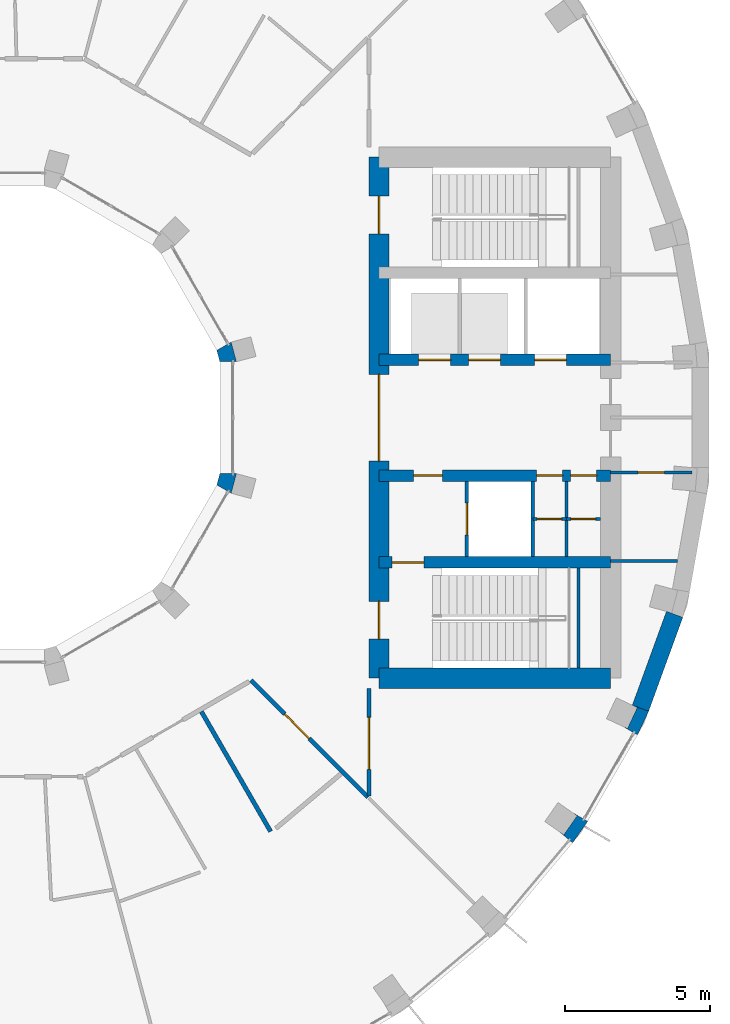
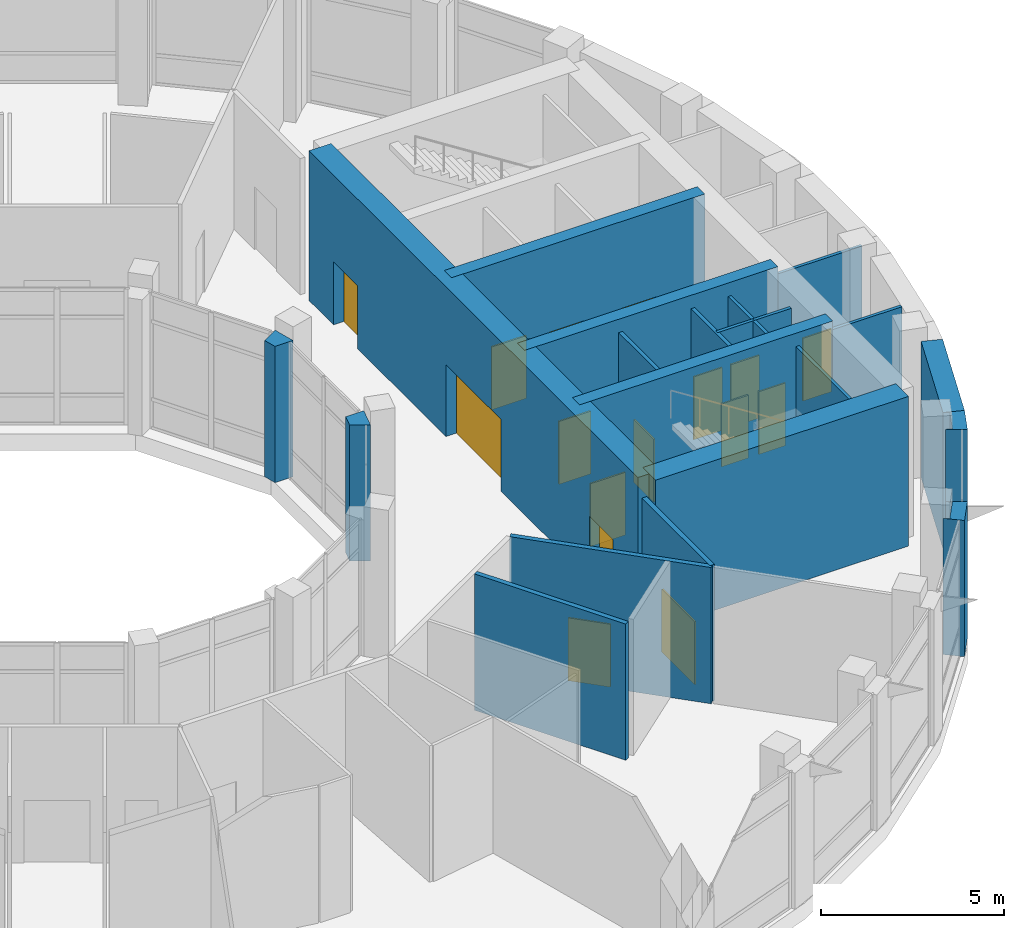
# One storey, part 13 of 18: 21 walls, 16 doors, 16 openings.
"""IFC4 building model written with IfcOpenShell, lengths in metres."""

from ifc_helpers import new_model, si_unit, direction, frame, frame_2d, origin, place, context, subcontext, project, spatial, polyline, rectangle, outline, extrude, material, layer, layer_set, type_object, element, fill, save


model = new_model("IFC4")

# Units and contexts
model_context = context("Model", 3, precision=1e-05, world=origin(), true_north=direction((0.0, 1.0)))
body_context = subcontext(model_context, "Body", "Model", "MODEL_VIEW")
ifc_project = project(units=[si_unit("LENGTHUNIT", "METRE"), si_unit("AREAUNIT", "SQUARE_METRE"), si_unit("VOLUMEUNIT", "CUBIC_METRE"), si_unit("PLANEANGLEUNIT", "RADIAN"), si_unit("MASSUNIT", "GRAM", prefix="KILO")], contexts=[model_context])

# Site, building, storey
site_placement = place(None, origin())
site = spatial("IfcSite", under=ifc_project, at=site_placement, CompositionType="ELEMENT")
building_placement = place(site_placement, origin())
building = spatial("IfcBuilding", under=site, at=building_placement, Name="Saqina Gate Tower", CompositionType="ELEMENT")
storey_placement = place(building_placement, frame((0.0, 0.0, 155.800048828125)))
storey = spatial("IfcBuildingStorey", under=building, at=storey_placement, Name="L44", CompositionType="ELEMENT", Elevation=155.800048828125)

# Walls
ifc_material_1 = material(Name="Brick masonry (buff)", Category="masonry")
wall_type_1 = type_object("IfcWallType", Name="BRICK PIER COPING BUFF", PredefinedType="SOLIDWALL", material=ifc_material_1)
wall_1_placement = place(storey_placement, origin())
element("IfcWall", 1, at=wall_1_placement, inside=storey, type_object=wall_type_1, Name="Pier cap L44 column 33", PredefinedType="SOLIDWALL", context=body_context, shape_type="SweptSolid", body=[
    extrude(outline(polyline([(20.18701171875, -14.687255859375), (20.705810546875, -13.9462890625), (20.186279296875, -13.646240234375), (20.339599609375, -13.753662109375), (19.880859375, -14.408935546875), (19.727294921875, -14.301513671875), (20.18701171875, -14.687255859375)])), origin(), (0.0, 0.0, 1.0), 4.550048828125),
])
wall_2_placement = place(storey_placement, origin())
element("IfcWall", 2, at=wall_2_placement, inside=storey, type_object=wall_type_1, Name="Pier cap L44 column 34", PredefinedType="SOLIDWALL", context=body_context, shape_type="SweptSolid", body=[
    extrude(outline(polyline([(22.81298828125, -10.138916015625), (22.249267578125, -9.93359375), (22.4189453125, -10.0126953125), (22.080810546875, -10.73779296875), (21.9111328125, -10.65869140625), (22.4306640625, -10.958740234375), (22.81298828125, -10.138916015625)])), origin(), (0.0, 0.0, 1.0), 4.550048828125),
])
ifc_material_2 = material(Name="Gypsum board on steel studs", Category="steel")
ifc_layer_1 = layer(ifc_material_2, 0.10009765625)
ifc_layer_set_1 = layer_set([ifc_layer_1], Name="CORE PARTITION")
wall_type_2 = type_object("IfcWallType", Name="CORE PARTITION", PredefinedType="PARTITIONING", material=ifc_layer_set_1)
wall_3_placement = place(storey_placement, frame((21.5, -4.949951171875, 0.0), z_axis=(0.0, 0.0, 1.0), x_axis=(1.0, 0.0, 0.0)))
element("IfcWall", 3, at=wall_3_placement, inside=storey, type_object=wall_type_2, Name="L44-CP-E03", PredefinedType="PARTITIONING", context=body_context, shape_type="SweptSolid", body=[
    extrude(rectangle(XDim=2.306884765625, YDim=0.10009765625, at=frame_2d((1.1533203125, 0.0))), origin(), (0.0, 0.0, 1.0), 4.550048828125),
])

# Wall, opening, door
wall_4_placement = place(storey_placement, frame((21.5, -1.89990234375, 0.0), z_axis=(0.0, 0.0, 1.0), x_axis=(1.0, 0.0, 0.0)))
wall_4 = element("IfcWall", 4, at=wall_4_placement, inside=storey, type_object=wall_type_2, Name="L44-CP-E04", PredefinedType="PARTITIONING", context=body_context, shape_type="SweptSolid", body=[
    extrude(rectangle(XDim=2.804931640625, YDim=0.10009765625, at=frame_2d((1.40234375, 0.0))), origin(), (0.0, 0.0, 1.0), 4.550048828125),
])
opening_1_placement = place(wall_4_placement, frame((0.952392578125, 0.0, 0.0)))
opening_1 = element("IfcOpeningElement", 5, at=opening_1_placement, cuts=wall_4, Name="Opening L44-D95", PredefinedType="OPENING", context=body_context, shape_type="SweptSolid", body=[
    extrude(rectangle(XDim=0.89990234375, YDim=2.10009765625, at=frame_2d((0.449951171875, 1.050048828125))), frame((0.0, 0.06201171875, 0.0), z_axis=(0.0, -1.0, 0.0), x_axis=(1.0, 0.0, 0.0)), (0.0, 0.0, 1.0), 0.1240234375),
])
ifc_material_3 = material(Name="Steel-framed fire door leaf, EI 60", Category="steel")
door_type_1 = type_object("IfcDoorType", Name="SERVICE ROOM DOOR 900", OperationType="SINGLE_SWING_LEFT", PredefinedType="DOOR", material=ifc_material_3)
door_1_placement = place(opening_1_placement, frame((0.89990234375, 0.0, 0.0), z_axis=(0.0, 0.0, 1.0), x_axis=(-1.0, 0.0, 0.0)))
door_1 = element("IfcDoor", 6, at=door_1_placement, inside=storey, type_object=door_type_1, Name="L44-CD-E06", OperationType="SINGLE_SWING_RIGHT", OverallHeight=2.10009765625, OverallWidth=0.89990234375, PredefinedType="DOOR", context=body_context, shape_type="SweptSolid", body=[
    extrude(rectangle(XDim=0.89990234375, YDim=2.10009765625, at=frame_2d((0.449951171875, 1.050048828125))), frame((0.0, 0.02490234375, 0.0), z_axis=(0.0, -1.0, 0.0), x_axis=(1.0, 0.0, 0.0)), (0.0, 0.0, 1.0), 0.050048828125),
])
fill(opening_1, door_1)

# Wall
wall_5_placement = place(storey_placement, frame((19.97998046875, -4.800048828125, 0.0), z_axis=(0.0, 0.0, 1.0), x_axis=(0.0, 1.0, 0.0)))
element("IfcWall", 7, at=wall_5_placement, inside=storey, type_object=wall_type_2, Name="L44-CP-E10", PredefinedType="PARTITIONING", context=body_context, shape_type="SweptSolid", body=[
    extrude(rectangle(XDim=2.60009765625, YDim=0.10009765625, at=frame_2d((1.300048828125, 0.0))), origin(), (0.0, 0.0, 1.0), 4.550048828125),
])

# Wall, opening, door
wall_6_placement = place(storey_placement, frame((18.81005859375, -3.5, 0.0), z_axis=(0.0, 0.0, 1.0), x_axis=(1.0, 0.0, 0.0)))
wall_6 = element("IfcWall", 8, at=wall_6_placement, inside=storey, type_object=wall_type_2, Name="L44-CP-E11", PredefinedType="PARTITIONING", context=body_context, shape_type="SweptSolid", body=[
    extrude(rectangle(XDim=1.169921875, YDim=0.10009765625, at=frame_2d((0.5849609375, 0.0))), origin(), (0.0, 0.0, 1.0), 4.550048828125),
])
opening_2_placement = place(wall_6_placement, frame((0.14990234375, 0.0, 0.0)))
opening_2 = element("IfcOpeningElement", 9, at=opening_2_placement, cuts=wall_6, Name="Opening L44-D97", PredefinedType="OPENING", context=body_context, shape_type="SweptSolid", body=[
    extrude(rectangle(XDim=0.85009765625, YDim=2.10009765625, at=frame_2d((0.425048828125, 1.050048828125))), frame((0.0, 0.06201171875, 0.0), z_axis=(0.0, -1.0, 0.0), x_axis=(1.0, 0.0, 0.0)), (0.0, 0.0, 1.0), 0.1240234375),
])
ifc_material_4 = material(Name="Steel-framed fire door leaf, EI 60", Category="steel")
door_type_2 = type_object("IfcDoorType", Name="SERVICE ROOM DOOR 850", OperationType="SINGLE_SWING_LEFT", PredefinedType="DOOR", material=ifc_material_4)
door_2_placement = place(opening_2_placement, frame((0.85009765625, 0.0, 0.0), z_axis=(0.0, 0.0, 1.0), x_axis=(-1.0, 0.0, 0.0)))
door_2 = element("IfcDoor", 10, at=door_2_placement, inside=storey, type_object=door_type_2, Name="L44-CD-E08", OperationType="SINGLE_SWING_RIGHT", OverallHeight=2.10009765625, OverallWidth=0.85009765625, PredefinedType="DOOR", context=body_context, shape_type="SweptSolid", body=[
    extrude(rectangle(XDim=0.85009765625, YDim=2.10009765625, at=frame_2d((0.425048828125, 1.050048828125))), frame((0.0, 0.02490234375, 0.0), z_axis=(0.0, -1.0, 0.0), x_axis=(1.0, 0.0, 0.0)), (0.0, 0.0, 1.0), 0.050048828125),
])
fill(opening_2, door_2)

wall_7_placement = place(storey_placement, frame((19.97998046875, -3.5, 0.0), z_axis=(0.0, 0.0, 1.0), x_axis=(1.0, 0.0, 0.0)))
wall_7 = element("IfcWall", 11, at=wall_7_placement, inside=storey, type_object=wall_type_2, Name="L44-CP-E12", PredefinedType="PARTITIONING", context=body_context, shape_type="SweptSolid", body=[
    extrude(rectangle(XDim=1.169921875, YDim=0.10009765625, at=frame_2d((0.5849609375, 0.0))), origin(), (0.0, 0.0, 1.0), 4.550048828125),
])
opening_3_placement = place(wall_7_placement, frame((0.14990234375, 0.0, 0.0)))
opening_3 = element("IfcOpeningElement", 12, at=opening_3_placement, cuts=wall_7, Name="Opening L44-D98", PredefinedType="OPENING", context=body_context, shape_type="SweptSolid", body=[
    extrude(rectangle(XDim=0.85009765625, YDim=2.10009765625, at=frame_2d((0.425048828125, 1.050048828125))), frame((0.0, 0.06201171875, 0.0), z_axis=(0.0, -1.0, 0.0), x_axis=(1.0, 0.0, 0.0)), (0.0, 0.0, 1.0), 0.1240234375),
])
door_3_placement = place(opening_3_placement, frame((0.85009765625, 0.0, 0.0), z_axis=(0.0, 0.0, 1.0), x_axis=(-1.0, 0.0, 0.0)))
door_3 = element("IfcDoor", 13, at=door_3_placement, inside=storey, type_object=door_type_2, Name="L44-CD-E09", OperationType="SINGLE_SWING_LEFT", OverallHeight=2.10009765625, OverallWidth=0.85009765625, PredefinedType="DOOR", context=body_context, shape_type="SweptSolid", body=[
    extrude(rectangle(XDim=0.85009765625, YDim=2.10009765625, at=frame_2d((0.425048828125, 1.050048828125))), frame((0.0, 0.02490234375, 0.0), z_axis=(0.0, -1.0, 0.0), x_axis=(1.0, 0.0, 0.0)), (0.0, 0.0, 1.0), 0.050048828125),
])
fill(opening_3, door_3)

# Wall
ifc_material_5 = material(Name="Glazed ceramic tile (dark blue)", Category="ceramic")
ifc_layer_2 = layer(ifc_material_5, 0.60009765625)
ifc_layer_set_2 = layer_set([ifc_layer_2], Name="FW-TILE-CB")
wall_type_3 = type_object("IfcWallType", Name="FW-TILE-CB", PredefinedType="SOLIDWALL", material=ifc_layer_set_2)
wall_8_placement = place(storey_placement, frame((22.531005859375, -10.0361328125, 0.0), z_axis=(0.0, 0.0, 1.0), x_axis=(0.342032843455, 0.93968799822, 0.0)))
element("IfcWall", 14, at=wall_8_placement, inside=storey, type_object=wall_type_3, Name="Facade wall L44 facet 34", PredefinedType="SOLIDWALL", context=body_context, shape_type="SweptSolid", body=[
    extrude(rectangle(XDim=3.44970703125, YDim=0.60009765625, at=frame_2d((1.724853515625, 0.0))), origin(), (0.0, 0.0, 1.0), 4.550048828125),
])

# Wall, opening, door
ifc_material_6 = material(Name="Autoclaved aerated concrete block", Category="concrete")
ifc_layer_3 = layer(ifc_material_6, 0.1201171875)
ifc_layer_set_3 = layer_set([ifc_layer_3], Name="SHAFT PARTITION")
wall_type_4 = type_object("IfcWallType", Name="SHAFT PARTITION", PredefinedType="PARTITIONING", material=ifc_layer_set_3)
wall_9_placement = place(storey_placement, frame((16.530029296875, -4.800048828125, 0.0), z_axis=(0.0, 0.0, 1.0), x_axis=(0.0, 1.0, 0.0)))
wall_9 = element("IfcWall", 15, at=wall_9_placement, inside=storey, type_object=wall_type_4, Name="L44-CP-E08", PredefinedType="PARTITIONING", context=body_context, shape_type="SweptSolid", body=[
    extrude(rectangle(XDim=2.60009765625, YDim=0.1201171875, at=frame_2d((1.300048828125, 0.0))), origin(), (0.0, 0.0, 1.0), 4.550048828125),
])
opening_4_placement = place(wall_9_placement, frame((0.75, 0.0, 0.0)))
opening_4 = element("IfcOpeningElement", 16, at=opening_4_placement, cuts=wall_9, Name="Opening L44-LD4", PredefinedType="OPENING", context=body_context, shape_type="SweptSolid", body=[
    extrude(rectangle(XDim=1.10009765625, YDim=2.10009765625, at=frame_2d((0.550048828125, 1.050048828125))), frame((0.0, 0.072021484375, 0.0), z_axis=(0.0, -1.0, 0.0), x_axis=(1.0, 0.0, 0.0)), (0.0, 0.0, 1.0), 0.14404296875),
])
ifc_material_7 = material(Name="Stainless steel", Category="steel")
door_type_3 = type_object("IfcDoorType", Name="LANDING DOOR", OperationType="DOUBLE_DOOR_SLIDING", PredefinedType="DOOR", material=ifc_material_7)
door_4_placement = place(opening_4_placement, origin())
door_4 = element("IfcDoor", 17, at=door_4_placement, inside=storey, type_object=door_type_3, Name="LANDING DOOR FF1", OperationType="DOUBLE_DOOR_SLIDING", OverallHeight=2.10009765625, OverallWidth=1.10009765625, PredefinedType="DOOR", context=body_context, shape_type="SweptSolid", body=[
    extrude(rectangle(XDim=1.10009765625, YDim=2.10009765625, at=frame_2d((0.550048828125, 1.050048828125))), frame((0.0, 0.02490234375, 0.0), z_axis=(0.0, -1.0, 0.0), x_axis=(1.0, 0.0, 0.0)), (0.0, 0.0, 1.0), 0.050048828125),
])
fill(opening_4, door_4)

# Wall
wall_10_placement = place(storey_placement, frame((18.81005859375, -4.800048828125, 0.0), z_axis=(0.0, 0.0, 1.0), x_axis=(0.0, 1.0, 0.0)))
element("IfcWall", 18, at=wall_10_placement, inside=storey, type_object=wall_type_4, Name="L44-CP-E09", PredefinedType="PARTITIONING", context=body_context, shape_type="SweptSolid", body=[
    extrude(rectangle(XDim=2.60009765625, YDim=0.1201171875, at=frame_2d((1.300048828125, 0.0))), origin(), (0.0, 0.0, 1.0), 4.550048828125),
])

# Wall, opening, door
ifc_material_8 = material(Name="Gypsum board on steel studs, 150 mm, fire rated", Category="steel")
ifc_layer_4 = layer(ifc_material_8, 0.14990234375)
ifc_layer_set_4 = layer_set([ifc_layer_4], Name="SPECIAL PARTITION EI 30 150")
wall_type_5 = type_object("IfcWallType", Name="SPECIAL PARTITION EI 30 150", PredefinedType="PARTITIONING", material=ifc_layer_set_4)
wall_11_placement = place(storey_placement, frame((13.14990234375, -13.074951171875, 0.0), z_axis=(0.0, 0.0, 1.0), x_axis=(0.0, 1.0, 0.0)))
wall_11 = element("IfcWall", 19, at=wall_11_placement, inside=storey, type_object=wall_type_5, Name="PARTITION 046", PredefinedType="PARTITIONING", context=body_context, shape_type="SweptSolid", body=[
    extrude(rectangle(XDim=3.724853515625, YDim=0.14990234375, at=frame_2d((1.8623046875, 0.0))), origin(), (0.0, 0.0, 1.0), 4.550048828125),
])
opening_5_placement = place(wall_11_placement, frame((0.925048828125, 0.0, 0.0)))
opening_5 = element("IfcOpeningElement", 20, at=opening_5_placement, cuts=wall_11, Name="Opening L44-D23", PredefinedType="OPENING", context=body_context, shape_type="SweptSolid", body=[
    extrude(rectangle(XDim=1.800048828125, YDim=2.10009765625, at=frame_2d((0.89990234375, 1.050048828125))), frame((0.0, 0.0869140625, 0.0), z_axis=(0.0, -1.0, 0.0), x_axis=(1.0, 0.0, 0.0)), (0.0, 0.0, 1.0), 0.173828125),
])
ifc_material_9 = material(Name="Steel-framed fire door leaf, EI 30", Category="steel")
door_type_4 = type_object("IfcDoorType", Name="SPECIAL DOUBLE DOOR 1800 FIRE EI 30", OperationType="DOUBLE_DOOR_SINGLE_SWING", PredefinedType="DOOR", material=ifc_material_9)
door_5_placement = place(opening_5_placement, frame((1.800048828125, 0.0, 0.0), z_axis=(0.0, 0.0, 1.0), x_axis=(-1.0, 0.0, 0.0)))
door_5 = element("IfcDoor", 21, at=door_5_placement, inside=storey, type_object=door_type_4, Name="DOOR L44-D23", OperationType="DOUBLE_DOOR_SINGLE_SWING", OverallHeight=2.10009765625, OverallWidth=1.800048828125, PredefinedType="DOOR", context=body_context, shape_type="SweptSolid", body=[
    extrude(rectangle(XDim=1.800048828125, YDim=2.10009765625, at=frame_2d((0.89990234375, 1.050048828125))), frame((0.0, 0.02490234375, 0.0), z_axis=(0.0, -1.0, 0.0), x_axis=(1.0, 0.0, 0.0)), (0.0, 0.0, 1.0), 0.050048828125),
])
fill(opening_5, door_5)

# Wall
ifc_material_10 = material(Name="Masonry block and plaster, 150 mm, fire rated", Category="masonry")
ifc_layer_5 = layer(ifc_material_10, 0.14990234375)
ifc_layer_set_5 = layer_set([ifc_layer_5], Name="SPECIAL PARTITION EI 60 150")
wall_type_6 = type_object("IfcWallType", Name="SPECIAL PARTITION EI 60 150", PredefinedType="PARTITIONING", material=ifc_layer_set_5)
wall_12_placement = place(storey_placement, frame((7.363525390625, -10.153076171875, 0.0), z_axis=(0.0, 0.0, 1.0), x_axis=(0.49988015136, -0.866094587373, 0.0)))
element("IfcWall", 22, at=wall_12_placement, inside=storey, type_object=wall_type_6, Name="PARTITION 010", PredefinedType="PARTITIONING", context=body_context, shape_type="SweptSolid", body=[
    extrude(rectangle(XDim=4.780029296875, YDim=0.14990234375, at=frame_2d((2.39013671875, 0.0))), origin(), (0.0, 0.0, 1.0), 4.550048828125),
])

# Wall, opening, door
wall_13_placement = place(storey_placement, frame((9.076904296875, -9.076904296875, 0.0), z_axis=(0.0, 0.0, 1.0), x_axis=(0.707106781187, -0.707106781187, 0.0)))
wall_13 = element("IfcWall", 23, at=wall_13_placement, inside=storey, type_object=wall_type_6, Name="PARTITION 014", PredefinedType="PARTITIONING", context=body_context, shape_type="SweptSolid", body=[
    extrude(rectangle(XDim=5.7099609375, YDim=0.14990234375, at=frame_2d((2.85498046875, 0.0))), origin(), (0.0, 0.0, 1.0), 4.550048828125),
])
opening_6_placement = place(wall_13_placement, frame((1.64208984375, 0.0, 0.0)))
opening_6 = element("IfcOpeningElement", 24, at=opening_6_placement, cuts=wall_13, Name="Opening L44-D22", PredefinedType="OPENING", context=body_context, shape_type="SweptSolid", body=[
    extrude(rectangle(XDim=1.199951171875, YDim=2.10009765625, at=frame_2d((0.60009765625, 1.050048828125))), frame((0.0, 0.0869140625, 0.0), z_axis=(0.0, -1.0, 0.0), x_axis=(1.0, 0.0, 0.0)), (0.0, 0.0, 1.0), 0.173828125),
])
ifc_material_11 = material(Name="Steel-framed fire door leaf, EI 60", Category="steel")
door_type_5 = type_object("IfcDoorType", Name="SPECIAL DOOR 1200 FIRE EI 60", OperationType="SINGLE_SWING_LEFT", PredefinedType="DOOR", material=ifc_material_11)
door_6_placement = place(opening_6_placement, frame((1.199951171875, 0.0, 0.0), z_axis=(0.0, 0.0, 1.0), x_axis=(-1.0, 0.0, 0.0)))
door_6 = element("IfcDoor", 25, at=door_6_placement, inside=storey, type_object=door_type_5, Name="DOOR L44-D22", OperationType="SINGLE_SWING_RIGHT", OverallHeight=2.10009765625, OverallWidth=1.199951171875, PredefinedType="DOOR", context=body_context, shape_type="SweptSolid", body=[
    extrude(rectangle(XDim=1.199951171875, YDim=2.10009765625, at=frame_2d((0.60009765625, 1.050048828125))), frame((0.0, 0.02490234375, 0.0), z_axis=(0.0, -1.0, 0.0), x_axis=(1.0, 0.0, 0.0)), (0.0, 0.0, 1.0), 0.050048828125),
])
fill(opening_6, door_6)

# Wall
ifc_material_12 = material(Name="Autoclaved aerated concrete block", Category="concrete")
ifc_layer_6 = layer(ifc_material_12, 0.10009765625)
ifc_layer_set_6 = layer_set([ifc_layer_6], Name="STAIR ENCLOSURE WALL")
wall_type_7 = type_object("IfcWallType", Name="STAIR ENCLOSURE WALL", PredefinedType="PARTITIONING", material=ifc_layer_set_6)
wall_14_placement = place(storey_placement, frame((20.389892578125, -8.64990234375, 0.0), z_axis=(0.0, 0.0, 1.0), x_axis=(0.0, 1.0, 0.0)))
element("IfcWall", 26, at=wall_14_placement, inside=storey, type_object=wall_type_7, Name="L44-CP-E14", PredefinedType="PARTITIONING", context=body_context, shape_type="SweptSolid", body=[
    extrude(rectangle(XDim=3.449951171875, YDim=0.10009765625, at=frame_2d((1.72509765625, 0.0))), origin(), (0.0, 0.0, 1.0), 4.550048828125),
])

# Wall, opening, door
ifc_material_13 = material(Name="Concrete C60/75", Category="concrete")
ifc_layer_7 = layer(ifc_material_13, 0.39990234375)
ifc_layer_set_7 = layer_set([ifc_layer_7], Name="Concrete C60/75")
wall_type_8 = type_object("IfcWallType", Name="STR-CORE WALL-C-I", PredefinedType="SHEAR", material=ifc_layer_set_7)
wall_15_placement = place(storey_placement, frame((13.5, -5.0, 0.0), z_axis=(0.0, 0.0, 1.0), x_axis=(1.0, 0.0, 0.0)))
wall_15 = element("IfcWall", 27, at=wall_15_placement, inside=storey, type_object=wall_type_8, Name="CORE WALL L44 E-X2", PredefinedType="SHEAR", context=body_context, shape_type="SweptSolid", body=[
    extrude(rectangle(XDim=8.0, YDim=0.39990234375, at=frame_2d((4.0, 0.0))), origin(), (0.0, 0.0, 1.0), 5.0),
])
opening_7_placement = place(wall_15_placement, frame((0.449951171875, 0.0, 0.0)))
opening_7 = element("IfcOpeningElement", 28, at=opening_7_placement, cuts=wall_15, Name="Opening L44-D99", PredefinedType="OPENING", context=body_context, shape_type="SweptSolid", body=[
    extrude(rectangle(XDim=1.10009765625, YDim=2.10009765625, at=frame_2d((0.550048828125, 1.050048828125))), frame((0.0, 0.2119140625, 0.0), z_axis=(0.0, -1.0, 0.0), x_axis=(1.0, 0.0, 0.0)), (0.0, 0.0, 1.0), 0.423828125),
])
ifc_material_14 = material(Name="Steel", Category="steel")
door_type_6 = type_object("IfcDoorType", Name="FIRE LOBBY DOOR EI 60 WIDE", OperationType="SINGLE_SWING_LEFT", PredefinedType="DOOR", material=ifc_material_14)
door_7_placement = place(opening_7_placement, frame((1.10009765625, 0.0, 0.0), z_axis=(0.0, 0.0, 1.0), x_axis=(-1.0, 0.0, 0.0)))
door_7 = element("IfcDoor", 29, at=door_7_placement, inside=storey, type_object=door_type_6, Name="L44-CD-E10", OperationType="SINGLE_SWING_RIGHT", OverallHeight=2.10009765625, OverallWidth=1.10009765625, PredefinedType="DOOR", context=body_context, shape_type="SweptSolid", body=[
    extrude(rectangle(XDim=1.10009765625, YDim=2.10009765625, at=frame_2d((0.550048828125, 1.050048828125))), frame((0.0, 0.02490234375, 0.0), z_axis=(0.0, -1.0, 0.0), x_axis=(1.0, 0.0, 0.0)), (0.0, 0.0, 1.0), 0.050048828125),
])
fill(opening_7, door_7)

# Wall, openings, doors
wall_16_placement = place(storey_placement, frame((13.5, 2.0, 0.0), z_axis=(0.0, 0.0, 1.0), x_axis=(1.0, 0.0, 0.0)))
wall_16 = element("IfcWall", 30, at=wall_16_placement, inside=storey, type_object=wall_type_8, Name="CORE WALL L44 E-L1", PredefinedType="SHEAR", context=body_context, shape_type="SweptSolid", body=[
    extrude(rectangle(XDim=8.0, YDim=0.39990234375, at=frame_2d((4.0, 0.0))), origin(), (0.0, 0.0, 1.0), 5.0),
])
opening_8_placement = place(wall_16_placement, frame((1.3701171875, 0.0, 0.0)))
opening_8 = element("IfcOpeningElement", 31, at=opening_8_placement, cuts=wall_16, Name="Opening L44-LD1", PredefinedType="OPENING", context=body_context, shape_type="SweptSolid", body=[
    extrude(rectangle(XDim=1.10009765625, YDim=2.10009765625, at=frame_2d((0.550048828125, 1.050048828125))), frame((0.0, 0.2119140625, 0.0), z_axis=(0.0, -1.0, 0.0), x_axis=(1.0, 0.0, 0.0)), (0.0, 0.0, 1.0), 0.423828125),
])
opening_9_placement = place(wall_16_placement, frame((3.090087890625, 0.0, 0.0)))
opening_9 = element("IfcOpeningElement", 32, at=opening_9_placement, cuts=wall_16, Name="Opening L44-LD2", PredefinedType="OPENING", context=body_context, shape_type="SweptSolid", body=[
    extrude(rectangle(XDim=1.10009765625, YDim=2.10009765625, at=frame_2d((0.550048828125, 1.050048828125))), frame((0.0, 0.2119140625, 0.0), z_axis=(0.0, -1.0, 0.0), x_axis=(1.0, 0.0, 0.0)), (0.0, 0.0, 1.0), 0.423828125),
])
opening_10_placement = place(wall_16_placement, frame((5.3701171875, 0.0, 0.0)))
opening_10 = element("IfcOpeningElement", 33, at=opening_10_placement, cuts=wall_16, Name="Opening L44-LD3", PredefinedType="OPENING", context=body_context, shape_type="SweptSolid", body=[
    extrude(rectangle(XDim=1.10009765625, YDim=2.10009765625, at=frame_2d((0.550048828125, 1.050048828125))), frame((0.0, 0.2119140625, 0.0), z_axis=(0.0, -1.0, 0.0), x_axis=(1.0, 0.0, 0.0)), (0.0, 0.0, 1.0), 0.423828125),
])
door_8_placement = place(opening_8_placement, origin())
door_8 = element("IfcDoor", 34, at=door_8_placement, inside=storey, type_object=door_type_3, Name="LANDING DOOR HR1", OperationType="DOUBLE_DOOR_SLIDING", OverallHeight=2.10009765625, OverallWidth=1.10009765625, PredefinedType="DOOR", context=body_context, shape_type="SweptSolid", body=[
    extrude(rectangle(XDim=1.10009765625, YDim=2.10009765625, at=frame_2d((0.550048828125, 1.050048828125))), frame((0.0, 0.02490234375, 0.0), z_axis=(0.0, -1.0, 0.0), x_axis=(1.0, 0.0, 0.0)), (0.0, 0.0, 1.0), 0.050048828125),
])
fill(opening_8, door_8)
door_9_placement = place(opening_9_placement, origin())
door_9 = element("IfcDoor", 35, at=door_9_placement, inside=storey, type_object=door_type_3, Name="LANDING DOOR HR2", OperationType="DOUBLE_DOOR_SLIDING", OverallHeight=2.10009765625, OverallWidth=1.10009765625, PredefinedType="DOOR", context=body_context, shape_type="SweptSolid", body=[
    extrude(rectangle(XDim=1.10009765625, YDim=2.10009765625, at=frame_2d((0.550048828125, 1.050048828125))), frame((0.0, 0.02490234375, 0.0), z_axis=(0.0, -1.0, 0.0), x_axis=(1.0, 0.0, 0.0)), (0.0, 0.0, 1.0), 0.050048828125),
])
fill(opening_9, door_9)
door_10_placement = place(opening_10_placement, origin())
door_10 = element("IfcDoor", 36, at=door_10_placement, inside=storey, type_object=door_type_3, Name="LANDING DOOR MR1", OperationType="DOUBLE_DOOR_SLIDING", OverallHeight=2.10009765625, OverallWidth=1.10009765625, PredefinedType="DOOR", context=body_context, shape_type="SweptSolid", body=[
    extrude(rectangle(XDim=1.10009765625, YDim=2.10009765625, at=frame_2d((0.550048828125, 1.050048828125))), frame((0.0, 0.02490234375, 0.0), z_axis=(0.0, -1.0, 0.0), x_axis=(1.0, 0.0, 0.0)), (0.0, 0.0, 1.0), 0.050048828125),
])
fill(opening_10, door_10)

wall_17_placement = place(storey_placement, frame((13.5, -2.0, 0.0), z_axis=(0.0, 0.0, 1.0), x_axis=(1.0, 0.0, 0.0)))
wall_17 = element("IfcWall", 37, at=wall_17_placement, inside=storey, type_object=wall_type_8, Name="CORE WALL L44 E-L2", PredefinedType="SHEAR", context=body_context, shape_type="SweptSolid", body=[
    extrude(rectangle(XDim=8.0, YDim=0.39990234375, at=frame_2d((4.0, 0.0))), origin(), (0.0, 0.0, 1.0), 5.0),
])
opening_11_placement = place(wall_17_placement, frame((1.18994140625, 0.0, 0.0)))
opening_11 = element("IfcOpeningElement", 38, at=opening_11_placement, cuts=wall_17, Name="Opening L44-D90", PredefinedType="OPENING", context=body_context, shape_type="SweptSolid", body=[
    extrude(rectangle(XDim=1.0, YDim=2.10009765625, at=frame_2d((0.5, 1.050048828125))), frame((0.0, 0.2119140625, 0.0), z_axis=(0.0, -1.0, 0.0), x_axis=(1.0, 0.0, 0.0)), (0.0, 0.0, 1.0), 0.423828125),
])
opening_12_placement = place(wall_17_placement, frame((5.445068359375, 0.0, 0.0)))
opening_12 = element("IfcOpeningElement", 39, at=opening_12_placement, cuts=wall_17, Name="Opening L44-D91", PredefinedType="OPENING", context=body_context, shape_type="SweptSolid", body=[
    extrude(rectangle(XDim=0.89990234375, YDim=2.10009765625, at=frame_2d((0.449951171875, 1.050048828125))), frame((0.0, 0.2119140625, 0.0), z_axis=(0.0, -1.0, 0.0), x_axis=(1.0, 0.0, 0.0)), (0.0, 0.0, 1.0), 0.423828125),
])
opening_13_placement = place(wall_17_placement, frame((6.614990234375, 0.0, 0.0)))
opening_13 = element("IfcOpeningElement", 40, at=opening_13_placement, cuts=wall_17, Name="Opening L44-D92", PredefinedType="OPENING", context=body_context, shape_type="SweptSolid", body=[
    extrude(rectangle(XDim=0.89990234375, YDim=2.10009765625, at=frame_2d((0.449951171875, 1.050048828125))), frame((0.0, 0.2119140625, 0.0), z_axis=(0.0, -1.0, 0.0), x_axis=(1.0, 0.0, 0.0)), (0.0, 0.0, 1.0), 0.423828125),
])
ifc_material_15 = material(Name="Steel", Category="steel")
door_type_7 = type_object("IfcDoorType", Name="FIRE LOBBY DOOR EI 60", OperationType="SINGLE_SWING_LEFT", PredefinedType="DOOR", material=ifc_material_15)
door_11_placement = place(opening_11_placement, origin())
door_11 = element("IfcDoor", 41, at=door_11_placement, inside=storey, type_object=door_type_7, Name="L44-CD-E01", OperationType="SINGLE_SWING_LEFT", OverallHeight=2.10009765625, OverallWidth=1.0, PredefinedType="DOOR", context=body_context, shape_type="SweptSolid", body=[
    extrude(rectangle(XDim=1.0, YDim=2.10009765625, at=frame_2d((0.5, 1.050048828125))), frame((0.0, 0.02490234375, 0.0), z_axis=(0.0, -1.0, 0.0), x_axis=(1.0, 0.0, 0.0)), (0.0, 0.0, 1.0), 0.050048828125),
])
fill(opening_11, door_11)
door_12_placement = place(opening_12_placement, frame((0.89990234375, 0.0, 0.0), z_axis=(0.0, 0.0, 1.0), x_axis=(-1.0, 0.0, 0.0)))
door_12 = element("IfcDoor", 42, at=door_12_placement, inside=storey, type_object=door_type_1, Name="L44-CD-E02", OperationType="SINGLE_SWING_RIGHT", OverallHeight=2.10009765625, OverallWidth=0.89990234375, PredefinedType="DOOR", context=body_context, shape_type="SweptSolid", body=[
    extrude(rectangle(XDim=0.89990234375, YDim=2.10009765625, at=frame_2d((0.449951171875, 1.050048828125))), frame((0.0, 0.02490234375, 0.0), z_axis=(0.0, -1.0, 0.0), x_axis=(1.0, 0.0, 0.0)), (0.0, 0.0, 1.0), 0.050048828125),
])
fill(opening_12, door_12)
door_13_placement = place(opening_13_placement, frame((0.89990234375, 0.0, 0.0), z_axis=(0.0, 0.0, 1.0), x_axis=(-1.0, 0.0, 0.0)))
door_13 = element("IfcDoor", 43, at=door_13_placement, inside=storey, type_object=door_type_1, Name="L44-CD-E03", OperationType="SINGLE_SWING_LEFT", OverallHeight=2.10009765625, OverallWidth=0.89990234375, PredefinedType="DOOR", context=body_context, shape_type="SweptSolid", body=[
    extrude(rectangle(XDim=0.89990234375, YDim=2.10009765625, at=frame_2d((0.449951171875, 1.050048828125))), frame((0.0, 0.02490234375, 0.0), z_axis=(0.0, -1.0, 0.0), x_axis=(1.0, 0.0, 0.0)), (0.0, 0.0, 1.0), 0.050048828125),
])
fill(opening_13, door_13)

ifc_material_16 = material(Name="Concrete C60/75", Category="concrete")
ifc_layer_8 = layer(ifc_material_16, 0.699951171875)
ifc_layer_set_8 = layer_set([ifc_layer_8], Name="Concrete C60/75")
wall_type_9 = type_object("IfcWallType", Name="STR-CORE WALL-C-O", PredefinedType="SHEAR", material=ifc_layer_set_8)
wall_18_placement = place(storey_placement, frame((13.5, -9.0, 0.0), z_axis=(0.0, 0.0, 1.0), x_axis=(0.0, 1.0, 0.0)))
wall_18 = element("IfcWall", 44, at=wall_18_placement, inside=storey, type_object=wall_type_9, Name="CORE WALL L44 E-W1", PredefinedType="SHEAR", context=body_context, shape_type="SweptSolid", body=[
    extrude(rectangle(XDim=18.0, YDim=0.699951171875, at=frame_2d((9.0, 0.0))), origin(), (0.0, 0.0, 1.0), 5.0),
])
opening_14_placement = place(wall_18_placement, frame((15.35009765625, 0.0, 0.0)))
opening_14 = element("IfcOpeningElement", 45, at=opening_14_placement, cuts=wall_18, Name="Opening L44-D100", PredefinedType="OPENING", context=body_context, shape_type="SweptSolid", body=[
    extrude(rectangle(XDim=1.300048828125, YDim=2.10009765625, at=frame_2d((0.64990234375, 1.050048828125))), frame((0.0, 0.362060546875, 0.0), z_axis=(0.0, -1.0, 0.0), x_axis=(1.0, 0.0, 0.0)), (0.0, 0.0, 1.0), 0.723876953125),
])
opening_15_placement = place(wall_18_placement, frame((1.35009765625, 0.0, 0.0)))
opening_15 = element("IfcOpeningElement", 46, at=opening_15_placement, cuts=wall_18, Name="Opening L44-D101", PredefinedType="OPENING", context=body_context, shape_type="SweptSolid", body=[
    extrude(rectangle(XDim=1.300048828125, YDim=2.10009765625, at=frame_2d((0.64990234375, 1.050048828125))), frame((0.0, 0.362060546875, 0.0), z_axis=(0.0, -1.0, 0.0), x_axis=(1.0, 0.0, 0.0)), (0.0, 0.0, 1.0), 0.723876953125),
])
opening_16_placement = place(wall_18_placement, frame((7.5, 0.0, 0.0)))
opening_16 = element("IfcOpeningElement", 47, at=opening_16_placement, cuts=wall_18, Name="Opening L44-D102", PredefinedType="OPENING", context=body_context, shape_type="SweptSolid", body=[
    extrude(rectangle(XDim=3.0, YDim=2.39990234375, at=frame_2d((1.5, 1.199951171875))), frame((0.0, 0.362060546875, 0.0), z_axis=(0.0, -1.0, 0.0), x_axis=(1.0, 0.0, 0.0)), (0.0, 0.0, 1.0), 0.723876953125),
])
ifc_material_17 = material(Name="Steel", Category="steel")
door_type_8 = type_object("IfcDoorType", Name="FIRE DOOR EI 60 1300", OperationType="DOUBLE_DOOR_SINGLE_SWING", PredefinedType="DOOR", material=ifc_material_17)
door_14_placement = place(opening_14_placement, frame((1.300048828125, 0.0, 0.0), z_axis=(0.0, 0.0, 1.0), x_axis=(-1.0, 0.0, 0.0)))
door_14 = element("IfcDoor", 48, at=door_14_placement, inside=storey, type_object=door_type_8, Name="L44-CD-E11", OperationType="DOUBLE_DOOR_SINGLE_SWING", OverallHeight=2.10009765625, OverallWidth=1.300048828125, PredefinedType="DOOR", context=body_context, shape_type="SweptSolid", body=[
    extrude(rectangle(XDim=1.300048828125, YDim=2.10009765625, at=frame_2d((0.64990234375, 1.050048828125))), frame((0.0, 0.02490234375, 0.0), z_axis=(0.0, -1.0, 0.0), x_axis=(1.0, 0.0, 0.0)), (0.0, 0.0, 1.0), 0.050048828125),
])
fill(opening_14, door_14)
door_15_placement = place(opening_15_placement, frame((1.300048828125, 0.0, 0.0), z_axis=(0.0, 0.0, 1.0), x_axis=(-1.0, 0.0, 0.0)))
door_15 = element("IfcDoor", 49, at=door_15_placement, inside=storey, type_object=door_type_8, Name="L44-CD-E12", OperationType="DOUBLE_DOOR_SINGLE_SWING", OverallHeight=2.10009765625, OverallWidth=1.300048828125, PredefinedType="DOOR", context=body_context, shape_type="SweptSolid", body=[
    extrude(rectangle(XDim=1.300048828125, YDim=2.10009765625, at=frame_2d((0.64990234375, 1.050048828125))), frame((0.0, 0.02490234375, 0.0), z_axis=(0.0, -1.0, 0.0), x_axis=(1.0, 0.0, 0.0)), (0.0, 0.0, 1.0), 0.050048828125),
])
fill(opening_15, door_15)
ifc_material_18 = material(Name="Steel and fire-resisting glass", Category="steel")
door_type_9 = type_object("IfcDoorType", Name="LOBBY SCREEN DOOR", OperationType="DOUBLE_DOOR_SLIDING", PredefinedType="DOOR", material=ifc_material_18)
door_16_placement = place(opening_16_placement, origin())
door_16 = element("IfcDoor", 50, at=door_16_placement, inside=storey, type_object=door_type_9, Name="L44-CD-E13", OperationType="DOUBLE_DOOR_SLIDING", OverallHeight=2.39990234375, OverallWidth=3.0, PredefinedType="DOOR", context=body_context, shape_type="SweptSolid", body=[
    extrude(rectangle(XDim=3.0, YDim=2.39990234375, at=frame_2d((1.5, 1.199951171875))), frame((0.0, 0.02490234375, 0.0), z_axis=(0.0, -1.0, 0.0), x_axis=(1.0, 0.0, 0.0)), (0.0, 0.0, 1.0), 0.050048828125),
])
fill(opening_16, door_16)

# Walls
wall_19_placement = place(storey_placement, frame((13.5, -9.0, 0.0), z_axis=(0.0, 0.0, 1.0), x_axis=(1.0, 0.0, 0.0)))
element("IfcWall", 51, at=wall_19_placement, inside=storey, type_object=wall_type_9, Name="CORE WALL L44 E-SE", PredefinedType="SHEAR", context=body_context, shape_type="SweptSolid", body=[
    extrude(rectangle(XDim=8.0, YDim=0.699951171875, at=frame_2d((4.0, 0.0))), origin(), (0.0, 0.0, 1.0), 5.0),
])
ifc_material_19 = material(Name="Glazed ceramic tile", Category="ceramic")
wall_type_10 = type_object("IfcWallType", Name="TILE PIER COPING", PredefinedType="SOLIDWALL", material=ifc_material_19)
wall_20_placement = place(storey_placement, origin())
element("IfcWall", 52, at=wall_20_placement, inside=storey, type_object=wall_type_10, Name="Well pier cap L44 column 1", PredefinedType="SOLIDWALL", context=body_context, shape_type="SweptSolid", body=[
    extrude(outline(polyline([(8.392333984375, 2.611083984375), (7.895751953125, 2.32421875), (8.0, 1.934814453125), (8.573486328125, 1.934814453125), (8.392333984375, 2.611083984375)])), origin(), (0.0, 0.0, 1.0), 4.550048828125),
])
wall_21_placement = place(storey_placement, origin())
element("IfcWall", 53, at=wall_21_placement, inside=storey, type_object=wall_type_10, Name="Well pier cap L44 column 12", PredefinedType="SOLIDWALL", context=body_context, shape_type="SweptSolid", body=[
    extrude(outline(polyline([(8.573486328125, -1.934814453125), (8.0, -1.934814453125), (7.895751953125, -2.32421875), (8.392333984375, -2.611083984375), (8.573486328125, -1.934814453125)])), origin(), (0.0, 0.0, 1.0), 4.550048828125),
])

save(model, "model.ifc")
